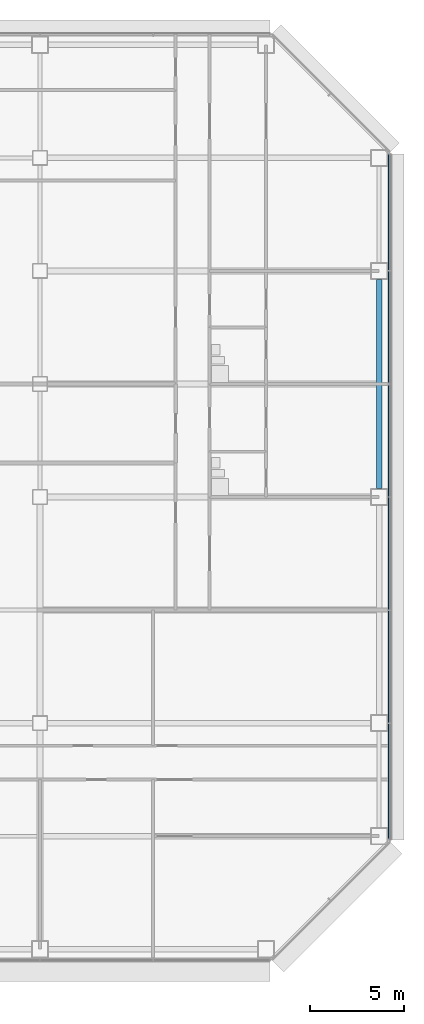
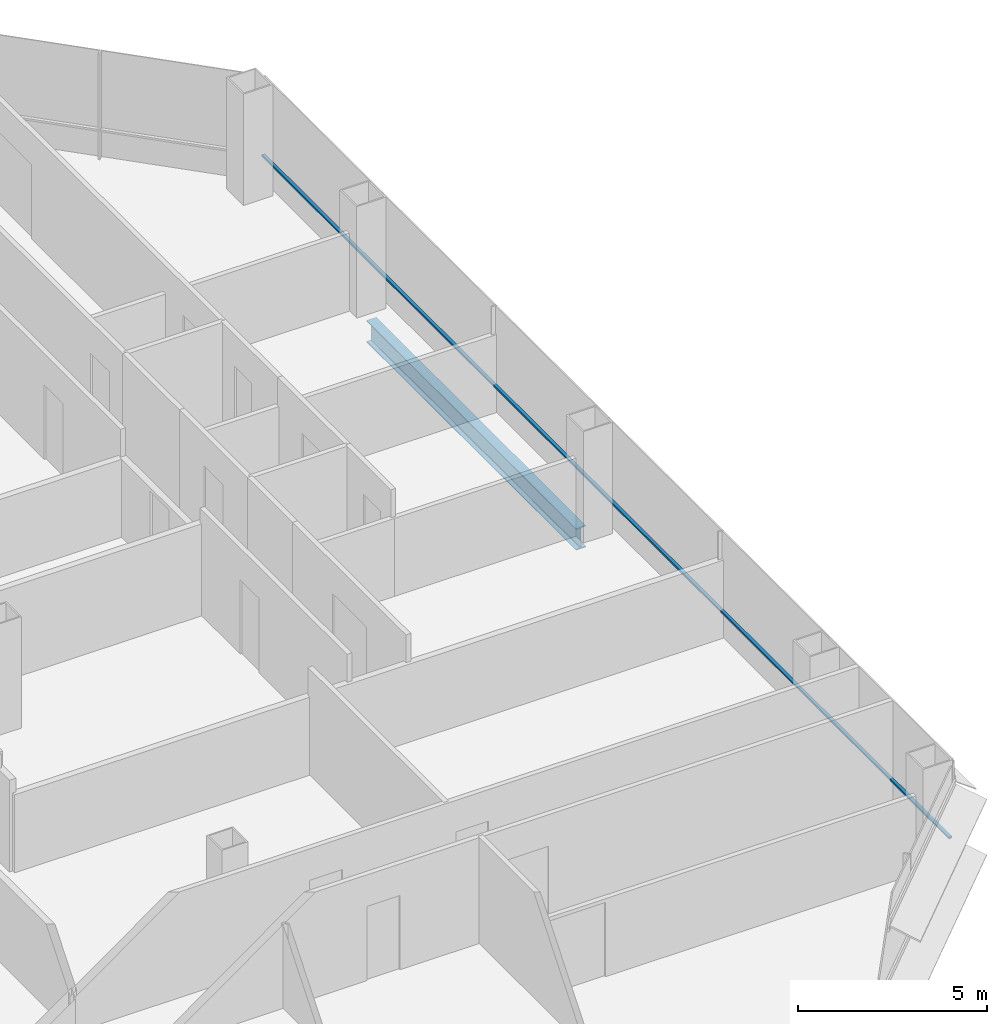
# One storey, part 17 of 26: 1 beam, 1 member, 1 element without a shape of its own.
"""IFC4 building model written with IfcOpenShell, lengths in metres."""

from ifc_helpers import new_model, si_unit, direction, frame, origin, origin_2d, place, context, subcontext, project, spatial, rectangle, i_section, extrude, material, material_profile, profile_set, type_object, element, aggregate, save


model = new_model("IFC4")

# Units and contexts
model_context = context("Model", 3, precision=1e-05, world=origin(), true_north=direction((0.0, 1.0)))
body_context = subcontext(model_context, "Body", "Model", "MODEL_VIEW")
ifc_project = project(units=[si_unit("LENGTHUNIT", "METRE"), si_unit("AREAUNIT", "SQUARE_METRE"), si_unit("VOLUMEUNIT", "CUBIC_METRE"), si_unit("PLANEANGLEUNIT", "RADIAN"), si_unit("MASSUNIT", "GRAM", prefix="KILO")], contexts=[model_context])

# Site, building, storey
site_placement = place(None, origin())
site = spatial("IfcSite", under=ifc_project, at=site_placement, CompositionType="ELEMENT")
building_placement = place(site_placement, origin())
building = spatial("IfcBuilding", under=site, at=building_placement, Name="Sorahane Residences", CompositionType="ELEMENT")
storey_placement = place(building_placement, frame((0.0, 0.0, 64.199951171875)))
storey = spatial("IfcBuildingStorey", under=building, at=storey_placement, Name="L12", CompositionType="ELEMENT", Elevation=64.199951171875)

# Curtain wall, member
ifc_material_1 = material(Name="Dark low-e glass and black anodised aluminium", Category="aluminium")
curtain_wall_type = type_object("IfcCurtainWallType", Name="Curtain wall CW-1 Typical unitised wall", PredefinedType="NOTDEFINED", material=ifc_material_1)
curtain_wall_placement = place(storey_placement, origin())
curtain_wall = element("IfcCurtainWall", 1, at=curtain_wall_placement, inside=storey, type_object=curtain_wall_type, Name="CW-1 curtain wall L12 E1", PredefinedType="NOTDEFINED")
ifc_material_2 = material(Name="Black anodised aluminium", Category="aluminium")
ifc_material_profile_1 = material_profile(ifc_material_2, rectangle(XDim=0.10009765625, YDim=0.06005859375, at=origin_2d()), Name="Curtain wall transom CW-1 black anodised aluminium 60x100")
ifc_profile_set_1 = profile_set([ifc_material_profile_1], Name="Black anodised aluminium")
member_type = type_object("IfcMemberType", Name="Curtain wall transom CW-1 black anodised aluminium 60x100", PredefinedType="USERDEFINED", material=ifc_profile_set_1)
member_placement = place(storey_placement, frame((66.530029296875, 5.801513671875, 0.900146484375), z_axis=(0.0, 1.0, 0.0), x_axis=(-1.0, 0.0, 0.0)))
member = element("IfcMember", 2, at=member_placement, type_object=member_type, Name="CW-1 transom L12 E1", ObjectType="TRANSOM", PredefinedType="USERDEFINED", context=body_context, shape_type="SweptSolid", body=[
    extrude(rectangle(XDim=0.10009765625, YDim=0.06005859375, at=origin_2d()), origin(), (0.0, 0.0, 1.0), 36.39697265625),
])
aggregate(curtain_wall, [member])

# Beam
ifc_material_3 = material(Name="Steel Q355B", Category="steel")
ifc_material_profile_2 = material_profile(ifc_material_3, i_section(OverallWidth=0.300048828125, OverallDepth=0.699951171875, WebThickness=0.012939453125, FlangeThickness=0.02392578125, FilletRadius=0.028076171875, at=origin_2d()), Name="HN 700x300x13x24")
ifc_profile_set_2 = profile_set([ifc_material_profile_2], Name="Steel Q355B")
beam_type = type_object("IfcBeamType", Name="Steel floor beam HN 700x300x13x24 Q355B", PredefinedType="BEAM", material=ifc_profile_set_2)
beam_placement = place(storey_placement, frame((66.0, 24.449951171875, -0.530029296875), z_axis=(0.0, 1.0, 0.0), x_axis=(-1.0, 0.0, 0.0)))
element("IfcBeam", 3, at=beam_placement, inside=storey, type_object=beam_type, Name="Beam L12 059", PredefinedType="BEAM", context=body_context, shape_type="SweptSolid", body=[
    extrude(i_section(OverallWidth=0.300048828125, OverallDepth=0.699951171875, WebThickness=0.012939453125, FlangeThickness=0.02392578125, FilletRadius=0.028076171875, at=origin_2d()), origin(), (0.0, 0.0, 1.0), 11.10009765625),
])

save(model, "model.ifc")
